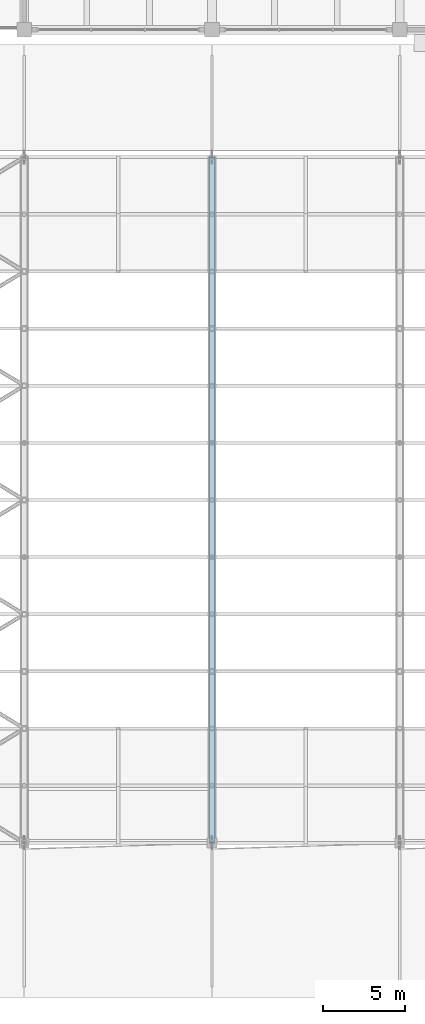
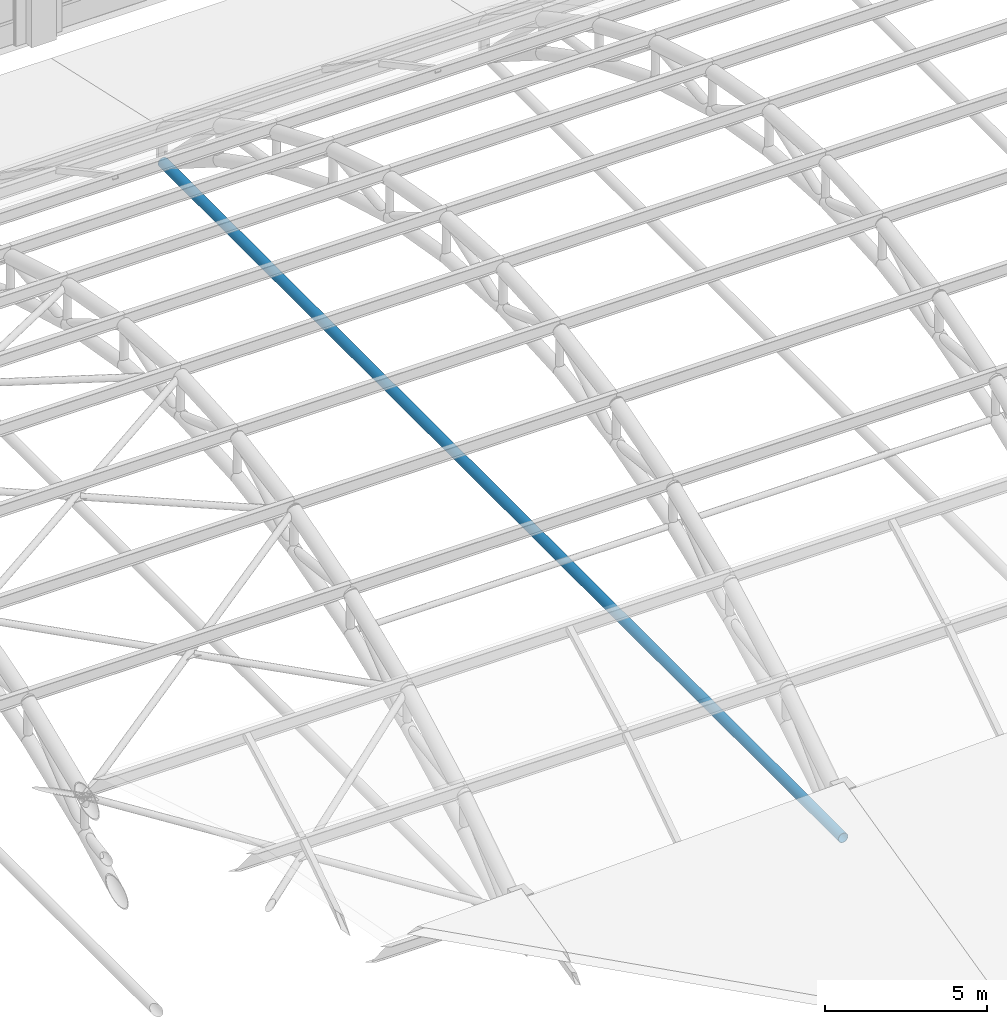
# One storey, part 21 of 154: 1 member.
"""IFC4 building model written with IfcOpenShell, lengths in metres."""

from ifc_helpers import new_model, si_unit, direction, frame, origin, origin_2d, place, context, subcontext, project, spatial, hollow_circle, extrude, material, material_profile, profile_set, type_object, element, save


model = new_model("IFC4")

# Units and contexts
model_context = context("Model", 3, precision=1e-05, world=origin(), true_north=direction((0.0, 1.0)))
body_context = subcontext(model_context, "Body", "Model", "MODEL_VIEW")
ifc_project = project(units=[si_unit("LENGTHUNIT", "METRE"), si_unit("AREAUNIT", "SQUARE_METRE"), si_unit("VOLUMEUNIT", "CUBIC_METRE"), si_unit("PLANEANGLEUNIT", "RADIAN"), si_unit("MASSUNIT", "GRAM", prefix="KILO")], contexts=[model_context])

# Site, building, storey
site_placement = place(None, origin())
site = spatial("IfcSite", under=ifc_project, at=site_placement, CompositionType="ELEMENT")
building_placement = place(site_placement, origin())
building = spatial("IfcBuilding", under=site, at=building_placement, Name="Ologun Quay Terminus", CompositionType="ELEMENT")
storey_placement = place(building_placement, frame((0.0, 0.0, 13.800048828125)))
storey = spatial("IfcBuildingStorey", under=building, at=storey_placement, Name="L03", CompositionType="ELEMENT", Elevation=13.800048828125)

# Member
ifc_material = material(Name="Steel S355", Category="steel")
ifc_material_profile = material_profile(ifc_material, hollow_circle(Radius=0.177734375, WallThickness=0.012451171875, at=origin_2d()), Name="CHS 355.6x12.5")
ifc_profile_set = profile_set([ifc_material_profile], Name="Steel S355")
member_type = type_object("IfcMemberType", Name="Arch Horizontal Tie Chord CHS355", PredefinedType="CHORD", material=ifc_profile_set)
member_placement = place(storey_placement, frame((34.5, 36.0, 0.0), z_axis=(0.0, 1.0, 0.0), x_axis=(-1.0, 0.0, 0.0)))
element("IfcMember", 1, at=member_placement, inside=storey, type_object=member_type, Name="AT1 Arch Tie Chord Grid 4", PredefinedType="CHORD", context=body_context, shape_type="SweptSolid", body=[
    extrude(hollow_circle(Radius=0.177734375, WallThickness=0.012451171875, at=origin_2d()), origin(), (0.0, 0.0, 1.0), 42.0),
])

save(model, "model.ifc")
